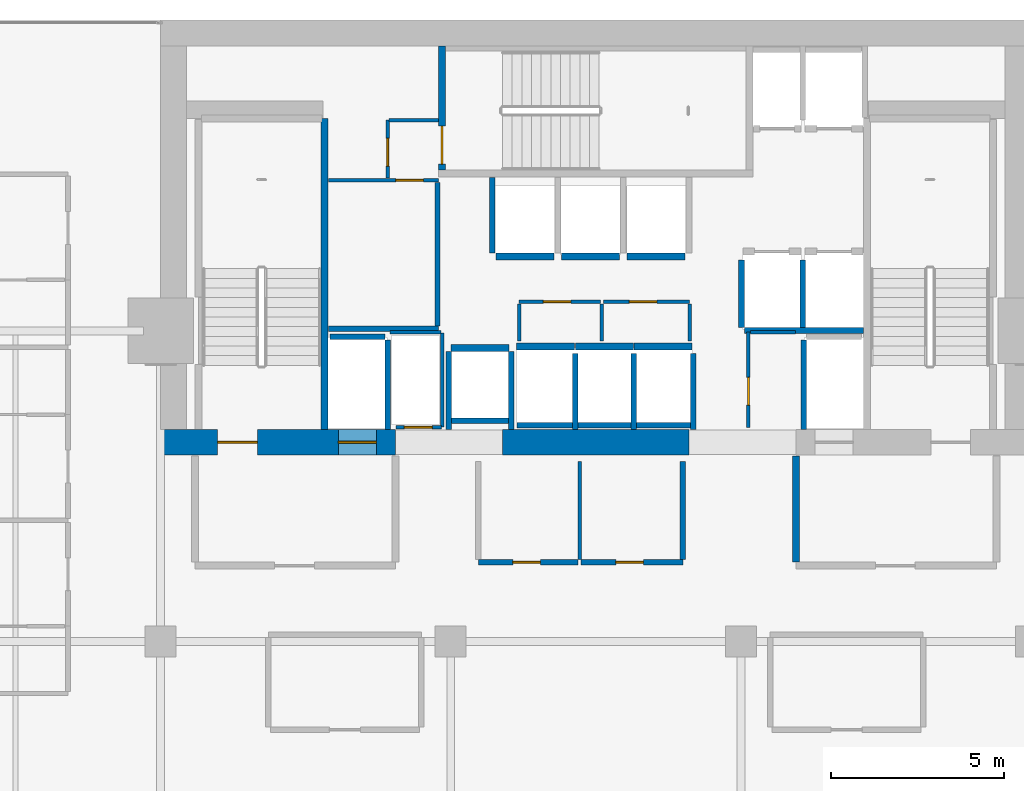
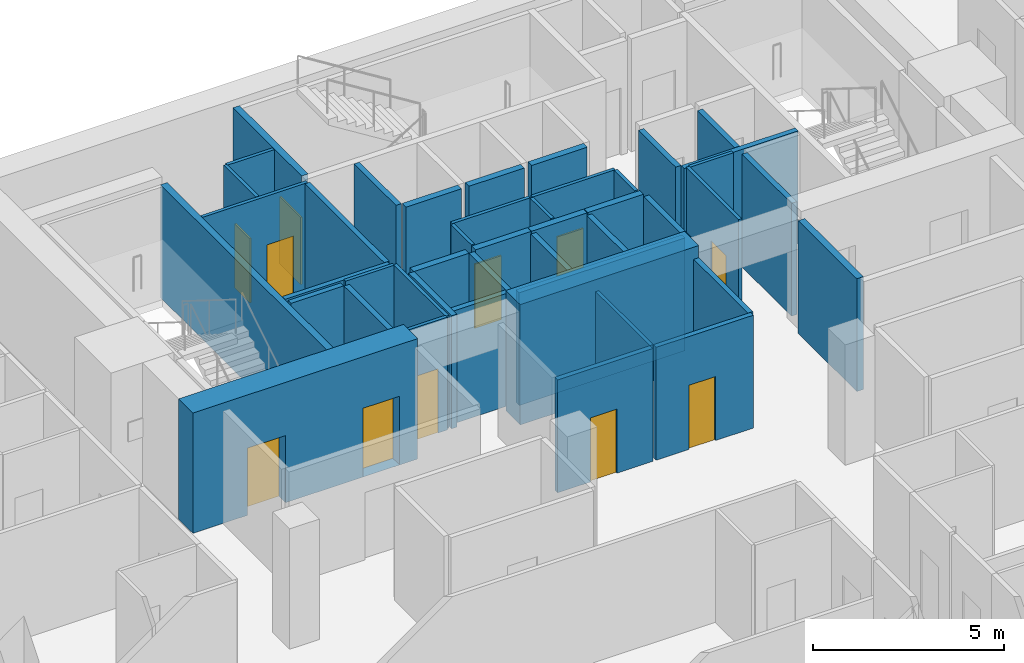
# One storey, part 30 of 34: 45 walls, 11 doors, 11 openings.
"""IFC4 building model written with IfcOpenShell, lengths in metres."""

import ifcopenshell
import ifcopenshell.guid

model = None  # the IFC model being written
_history = None  # IfcOwnerHistory: only IFC2X3 demands one
_inside = {}  # id of a spatial element -> (the spatial element, [elements in it])
_under = {}  # id of a project, library or spatial element -> (it, [spatial elements below it])
_declared = {}  # id of a project -> (the project, [libraries it declares])
_typed = {}  # id of a type object -> (the type object, [elements of that type])
_made_of = {}  # id of a material, layer set ... -> (it, [elements and type objects made of it])


def new_model(schema):
    """Start an empty IFC model of exactly this schema.

    Asked for "IFC4X3", IfcOpenShell would pick the latest addendum, in which some entities
    have other attributes; the version numbers below select the first issue.
    IFC2X3 requires an IfcOwnerHistory on every rooted entity: one is made here for all.
    """
    global model, _history
    if schema == "IFC4X3":
        model = ifcopenshell.file(schema_version=(4, 3, 0, 0))
    else:
        model = ifcopenshell.file(schema=schema)
    _inside.clear()
    _under.clear()
    _declared.clear()
    _typed.clear()
    _made_of.clear()
    _history = None
    if model.schema == "IFC2X3":
        org = make("IfcOrganization", Name="unknown")
        user = make(
            "IfcPersonAndOrganization",
            ThePerson=make("IfcPerson", FamilyName="unknown"),
            TheOrganization=org,
        )
        app = make(
            "IfcApplication",
            ApplicationDeveloper=org,
            Version="unknown",
            ApplicationFullName="unknown",
            ApplicationIdentifier="unknown",
        )
        _history = make(
            "IfcOwnerHistory",
            OwningUser=user,
            OwningApplication=app,
            ChangeAction="ADDED",
            CreationDate=0,
        )
    return model


def make(cls, **values):
    """One entity of the class cls with the attributes given. An attribute that is None is left unset."""
    return model.create_entity(
        cls, **{name: value for name, value in values.items() if value is not None}
    )


def rooted(cls, **values):
    """An entity with a GlobalId (a new one), such as an element, a storey or a relation."""
    return make(cls, GlobalId=ifcopenshell.guid.new(), OwnerHistory=_history, **values)


def si_unit(unit_type, name, prefix=None):
    """IfcSIUnit, for example si_unit("LENGTHUNIT", "METRE", prefix="MILLI")."""
    return make("IfcSIUnit", UnitType=unit_type, Prefix=prefix, Name=name)


def assignment(units):
    """IfcUnitAssignment: the units of a project."""
    return None if units is None else make("IfcUnitAssignment", Units=units)


def point(xyz):
    """IfcCartesianPoint."""
    return None if xyz is None else make("IfcCartesianPoint", Coordinates=xyz)


def direction(xyz):
    """IfcDirection."""
    return None if xyz is None else make("IfcDirection", DirectionRatios=xyz)


def frame(location, z_axis=None, x_axis=None):
    """IfcAxis2Placement3D, a coordinate frame: its origin and axes. An axis left out is left unset."""
    return make(
        "IfcAxis2Placement3D",
        Location=point(location),
        Axis=direction(z_axis),
        RefDirection=direction(x_axis),
    )


def frame_2d(location, x_axis=None):
    """IfcAxis2Placement2D, a coordinate frame in the plane: its origin and x axis."""
    return make(
        "IfcAxis2Placement2D", Location=point(location), RefDirection=direction(x_axis)
    )


def origin():
    """The frame at (0, 0, 0) with its axes left unset."""
    return frame((0.0, 0.0, 0.0))


def place(relative_to, where):
    """IfcLocalPlacement: puts the frame where relative to a parent placement (None: the world)."""
    return make(
        "IfcLocalPlacement", PlacementRelTo=relative_to, RelativePlacement=where
    )


def context(
    kind, dimensions, precision=None, world=None, true_north=None, identifier=None
):
    """IfcGeometricRepresentationContext, for example the 3D "Model" context."""
    return make(
        "IfcGeometricRepresentationContext",
        ContextIdentifier=identifier,
        ContextType=kind,
        CoordinateSpaceDimension=dimensions,
        Precision=precision,
        WorldCoordinateSystem=world,
        TrueNorth=true_north,
    )


def subcontext(parent, identifier, kind, view, scale=None):
    """IfcGeometricRepresentationSubContext, for example "Body" below "Model"."""
    return make(
        "IfcGeometricRepresentationSubContext",
        ContextIdentifier=identifier,
        ContextType=kind,
        ParentContext=parent,
        TargetScale=scale,
        TargetView=view,
    )


def project(units=None, contexts=None):
    """IfcProject with its units and contexts."""
    return rooted(
        "IfcProject",
        Name="project",
        RepresentationContexts=contexts,
        UnitsInContext=assignment(units),
    )


def spatial(cls, under=None, at=None, **own):
    """A site, building, storey or space (cls), placed at a placement, below another one or the project."""
    s = rooted(cls, ObjectPlacement=at, **own)
    if under is not None:
        _under.setdefault(under.id(), (under, []))[1].append(s)
    return s


def profile(cls, at=None, kind="AREA", **sizes):
    """A parametric profile (cls). Its sizes go by their IFC names, for example OverallWidth=200.0."""
    return make(cls, ProfileType=kind, Position=at, **sizes)


def rectangle(**sizes):
    """IfcRectangleProfileDef."""
    return profile("IfcRectangleProfileDef", **sizes)


def extrude(swept, where, along, depth):
    """IfcExtrudedAreaSolid: the profile swept, set in the frame where, extruded along a direction by depth."""
    return make(
        "IfcExtrudedAreaSolid",
        SweptArea=swept,
        Position=where,
        ExtrudedDirection=direction(along),
        Depth=depth,
    )


def shape(context_of_items, identifier, shape_type, items):
    """IfcShapeRepresentation: the items that make up one representation, for example the "Body"."""
    return make(
        "IfcShapeRepresentation",
        ContextOfItems=context_of_items,
        RepresentationIdentifier=identifier,
        RepresentationType=shape_type,
        Items=items,
    )


def material(Name=None, Category=None):
    """IfcMaterial."""
    return make("IfcMaterial", Name=Name, Category=Category)


def layer(
    of_material, thickness, ventilated=None, Name=None, Category=None, Priority=None
):
    """IfcMaterialLayer: one layer of a wall or slab, of a material (None: an air gap)."""
    return make(
        "IfcMaterialLayer",
        Material=of_material,
        LayerThickness=thickness,
        IsVentilated=ventilated,
        Name=Name,
        Category=Category,
        Priority=Priority,
    )


def layer_set(layers, Name=None):
    """IfcMaterialLayerSet."""
    return make("IfcMaterialLayerSet", MaterialLayers=layers, LayerSetName=Name)


def made_of(thing, what):
    """Note that an element or type object is made of a material, layer set ...; save() writes the relation."""
    if what is not None:
        _made_of.setdefault(what.id(), (what, []))[1].append(thing)
    return thing


def type_object(cls, material=None, **own):
    """A type object (cls), such as IfcWallType, which elements share."""
    return made_of(rooted(cls, **own), material)


def element(
    cls,
    number,
    at=None,
    inside=None,
    cuts=None,
    type_object=None,
    material=None,
    context=None,
    identifier="Body",
    shape_type=None,
    held_by="IfcProductDefinitionShape",
    body=None,
    shapes=None,
    **own,
):
    """One element of the class cls, such as IfcWall. Its Tag is "e" and its number.

    at: its placement. inside: the storey or other place that contains it. cuts: it is an
    opening in that element (IfcRelVoidsElement). A single representation is given by context,
    identifier, shape_type and body (its items); several are given by shapes. held_by: the class
    of the entity that holds the representations. save() writes the other relations.
    """
    e = rooted(cls, Tag="e%d" % number, ObjectPlacement=at, **own)
    if body is not None:
        shapes = [shape(context, identifier, shape_type, body)]
    if shapes is not None:
        e.Representation = make(held_by, Representations=shapes)
    if inside is not None:
        _inside.setdefault(inside.id(), (inside, []))[1].append(e)
    if cuts is not None:
        rooted(
            "IfcRelVoidsElement", RelatingBuildingElement=cuts, RelatedOpeningElement=e
        )
    if type_object is not None:
        _typed.setdefault(type_object.id(), (type_object, []))[1].append(e)
    return made_of(e, material)


def fill(opening, filler):
    """IfcRelFillsElement: the door or window that sits in an opening."""
    return rooted(
        "IfcRelFillsElement",
        RelatingOpeningElement=opening,
        RelatedBuildingElement=filler,
    )


def aggregate(whole, parts):
    """IfcRelAggregates: a whole, such as a stair, and the parts it consists of."""
    return rooted("IfcRelAggregates", RelatingObject=whole, RelatedObjects=parts)


def save(model, path):
    """Write the relations noted so far, then the file.

    IfcRelAggregates (storeys below a building ...), IfcRelContainedInSpatialStructure (elements
    in a storey), IfcRelDefinesByType, IfcRelAssociatesMaterial and IfcRelDeclares: one each for
    every whole, place, type object, material and project.
    """
    for whole, parts in _under.values():
        aggregate(whole, parts)
    for where, things in _inside.values():
        rooted(
            "IfcRelContainedInSpatialStructure",
            RelatedElements=things,
            RelatingStructure=where,
        )
    for kind, things in _typed.values():
        rooted("IfcRelDefinesByType", RelatedObjects=things, RelatingType=kind)
    for what, things in _made_of.values():
        rooted("IfcRelAssociatesMaterial", RelatedObjects=things, RelatingMaterial=what)
    for by, libraries in _declared.values():
        rooted("IfcRelDeclares", RelatingContext=by, RelatedDefinitions=libraries)
    model.write(path)


model = new_model("IFC4")

# Units and contexts
model_context = context("Model", 3, precision=1e-05, world=origin(), true_north=direction((0.0, 1.0)))
body_context = subcontext(model_context, "Body", "Model", "MODEL_VIEW")
ifc_project = project(units=[si_unit("LENGTHUNIT", "METRE"), si_unit("AREAUNIT", "SQUARE_METRE"), si_unit("VOLUMEUNIT", "CUBIC_METRE"), si_unit("PLANEANGLEUNIT", "RADIAN"), si_unit("MASSUNIT", "GRAM", prefix="KILO")], contexts=[model_context])

# Site, building, storey
site_placement = place(None, origin())
site = spatial("IfcSite", under=ifc_project, at=site_placement, CompositionType="ELEMENT")
building_placement = place(site_placement, origin())
building = spatial("IfcBuilding", under=site, at=building_placement, Name="Maruvema Waterfront Hotel and Observation Tower", CompositionType="ELEMENT")
storey_placement = place(building_placement, frame((0.0, 0.0, 181.300048828125)))
storey = spatial("IfcBuildingStorey", under=building, at=storey_placement, Name="L44", CompositionType="ELEMENT", Elevation=181.300048828125)

# Walls
ifc_material_1 = material(Name="Twin-stud acoustic gypsum drywall", Category="gypsum")
ifc_layer_1 = layer(ifc_material_1, 0.14990234375, Name="Acoustic Corridor and Suite Demising Wall 150 mm")
ifc_layer_set_1 = layer_set([ifc_layer_1], Name="Twin-stud acoustic gypsum drywall")
wall_type_1 = type_object("IfcWallType", Name="Acoustic Corridor and Suite Demising Wall 150 mm", PredefinedType="PARTITIONING", material=ifc_layer_set_1)
wall_1_placement = place(storey_placement, frame((30.06005859375, 45.06005859375, 0.0), z_axis=(0.0, 0.0, 1.0), x_axis=(1.0, 0.0, 0.0)))
element("IfcWall", 1, at=wall_1_placement, inside=storey, type_object=wall_type_1, Name="L44 Freed B1 South Wall 017", PredefinedType="PARTITIONING", context=body_context, shape_type="SweptSolid", body=[
    extrude(rectangle(XDim=3.179931640625, YDim=0.14990234375, at=frame_2d((1.58984375, 0.0))), origin(), (0.0, 0.0, 1.0), 3.60986328125),
])
wall_2_placement = place(storey_placement, frame((33.219970703125, 45.139892578125, 0.0), z_axis=(0.0, 0.0, 1.0), x_axis=(0.0, 1.0, 0.0)))
element("IfcWall", 2, at=wall_2_placement, inside=storey, type_object=wall_type_1, Name="L44 Freed B1 East Wall 018", PredefinedType="PARTITIONING", context=body_context, shape_type="SweptSolid", body=[
    extrude(rectangle(XDim=4.16015625, YDim=0.14990234375, at=frame_2d((2.080078125, 0.0))), origin(), (0.0, 0.0, 1.0), 3.60986328125),
])

# Wall, opening, door
wall_3_placement = place(storey_placement, frame((34.39990234375, 38.300048828125, 0.0), z_axis=(0.0, 0.0, 1.0), x_axis=(1.0, 0.0, 0.0)))
wall_3 = element("IfcWall", 3, at=wall_3_placement, inside=storey, type_object=wall_type_1, Name="L44 Core Apron K2A South 022", PredefinedType="PARTITIONING", context=body_context, shape_type="SweptSolid", body=[
    extrude(rectangle(XDim=2.880126953125, YDim=0.14990234375, at=frame_2d((1.43994140625, 0.0))), origin(), (0.0, 0.0, 1.0), 3.60986328125),
])
opening_1_placement = place(wall_3_placement, frame((1.0, 0.0, 0.0)))
opening_1 = element("IfcOpeningElement", 4, at=opening_1_placement, cuts=wall_3, Name="Opening DR-080", PredefinedType="OPENING", context=body_context, shape_type="SweptSolid", body=[
    extrude(rectangle(XDim=0.800048828125, YDim=2.050048828125, at=frame_2d((0.39990234375, 1.02490234375))), frame((0.0, 0.0849609375, 0.0), z_axis=(0.0, -1.0, 0.0), x_axis=(1.0, 0.0, 0.0)), (0.0, 0.0, 1.0), 0.169921875),
])
ifc_material_2 = material(Name="Powder-coated steel access leaf", Category="steel")
door_type_1 = type_object("IfcDoorType", Name="Riser and Service Cupboard Door 800x2050 mm", OperationType="NOTDEFINED", PredefinedType="DOOR", material=ifc_material_2)
door_1_placement = place(opening_1_placement, frame((0.800048828125, 0.0, 0.0), z_axis=(0.0, 0.0, 1.0), x_axis=(-1.0, 0.0, 0.0)))
door_1 = element("IfcDoor", 5, at=door_1_placement, inside=storey, type_object=door_type_1, Name="L44 Core Ice Alcove Door", OperationType="SINGLE_SWING_RIGHT", OverallHeight=2.050048828125, OverallWidth=0.800048828125, PredefinedType="DOOR", context=body_context, shape_type="SweptSolid", body=[
    extrude(rectangle(XDim=0.800048828125, YDim=2.050048828125, at=frame_2d((0.39990234375, 1.02490234375))), frame((0.0, 0.02490234375, 0.0), z_axis=(0.0, -1.0, 0.0), x_axis=(1.0, 0.0, 0.0)), (0.0, 0.0, 1.0), 0.050048828125),
])
fill(opening_1, door_1)

wall_4_placement = place(storey_placement, frame((37.3798828125, 38.300048828125, 0.0), z_axis=(0.0, 0.0, 1.0), x_axis=(1.0, 0.0, 0.0)))
wall_4 = element("IfcWall", 6, at=wall_4_placement, inside=storey, type_object=wall_type_1, Name="L44 Core Apron K2B South 023", PredefinedType="PARTITIONING", context=body_context, shape_type="SweptSolid", body=[
    extrude(rectangle(XDim=2.940185546875, YDim=0.14990234375, at=frame_2d((1.47021484375, 0.0))), origin(), (0.0, 0.0, 1.0), 3.60986328125),
])
opening_2_placement = place(wall_4_placement, frame((1.0, 0.0, 0.0)))
opening_2 = element("IfcOpeningElement", 7, at=opening_2_placement, cuts=wall_4, Name="Opening DR-080", PredefinedType="OPENING", context=body_context, shape_type="SweptSolid", body=[
    extrude(rectangle(XDim=0.800048828125, YDim=2.050048828125, at=frame_2d((0.39990234375, 1.02490234375))), frame((0.0, 0.0849609375, 0.0), z_axis=(0.0, -1.0, 0.0), x_axis=(1.0, 0.0, 0.0)), (0.0, 0.0, 1.0), 0.169921875),
])
door_2_placement = place(opening_2_placement, frame((0.800048828125, 0.0, 0.0), z_axis=(0.0, 0.0, 1.0), x_axis=(-1.0, 0.0, 0.0)))
door_2 = element("IfcDoor", 8, at=door_2_placement, inside=storey, type_object=door_type_1, Name="L44 Core Valet Closet Door", OperationType="SINGLE_SWING_LEFT", OverallHeight=2.050048828125, OverallWidth=0.800048828125, PredefinedType="DOOR", context=body_context, shape_type="SweptSolid", body=[
    extrude(rectangle(XDim=0.800048828125, YDim=2.050048828125, at=frame_2d((0.39990234375, 1.02490234375))), frame((0.0, 0.02490234375, 0.0), z_axis=(0.0, -1.0, 0.0), x_axis=(1.0, 0.0, 0.0)), (0.0, 0.0, 1.0), 0.050048828125),
])
fill(opening_2, door_2)

# Walls
wall_5_placement = place(storey_placement, frame((40.320068359375, 38.3798828125, 0.0), z_axis=(0.0, 0.0, 1.0), x_axis=(0.0, 1.0, 0.0)))
element("IfcWall", 9, at=wall_5_placement, inside=storey, type_object=wall_type_1, Name="L44 Core Apron K2 East 026", PredefinedType="PARTITIONING", context=body_context, shape_type="SweptSolid", body=[
    extrude(rectangle(XDim=2.840087890625, YDim=0.14990234375, at=frame_2d((1.419921875, 0.0))), origin(), (0.0, 0.0, 1.0), 3.60986328125),
])
ifc_material_3 = material(Name="Precast concrete C45/55", Category="concrete")
ifc_layer_2 = layer(ifc_material_3, 0.199951171875, Name="Core Shaft and Stairwell Enclosure Wall 200 mm")
ifc_layer_set_2 = layer_set([ifc_layer_2], Name="Precast concrete C45/55")
wall_type_2 = type_object("IfcWallType", Name="Core Shaft and Stairwell Enclosure Wall 200 mm", PredefinedType="SOLIDWALL", material=ifc_layer_set_2)
wall_6_placement = place(storey_placement, frame((29.949951171875, 42.14990234375, 0.0), z_axis=(0.0, 0.0, 1.0), x_axis=(0.0, 1.0, 0.0)))
element("IfcWall", 10, at=wall_6_placement, inside=storey, type_object=wall_type_2, Name="L44 Stairwell ST-01 East Shaft Wall", PredefinedType="SOLIDWALL", context=body_context, shape_type="SweptSolid", body=[
    extrude(rectangle(XDim=9.0, YDim=0.199951171875, at=frame_2d((4.5, 0.0))), origin(), (0.0, 0.0, 1.0), 3.60986328125),
])

# Wall, opening, door
wall_7_placement = place(storey_placement, frame((33.35009765625, 49.64990234375, 0.0), z_axis=(0.0, 0.0, 1.0), x_axis=(0.0, 1.0, 0.0)))
wall_7 = element("IfcWall", 11, at=wall_7_placement, inside=storey, type_object=wall_type_2, Name="L44 Stairwell ST-02 Shaft Wall", PredefinedType="SOLIDWALL", context=body_context, shape_type="SweptSolid", body=[
    extrude(rectangle(XDim=3.60009765625, YDim=0.199951171875, at=frame_2d((1.800048828125, 0.0))), origin(), (0.0, 0.0, 1.0), 3.60986328125),
])
opening_3_placement = place(wall_7_placement, frame((0.179931640625, 0.0, 0.0)))
opening_3 = element("IfcOpeningElement", 12, at=opening_3_placement, cuts=wall_7, Name="Opening SD-02", PredefinedType="OPENING", context=body_context, shape_type="SweptSolid", body=[
    extrude(rectangle(XDim=1.10009765625, YDim=2.14990234375, at=frame_2d((0.550048828125, 1.074951171875))), frame((0.0, 0.10986328125, 0.0), z_axis=(0.0, -1.0, 0.0), x_axis=(1.0, 0.0, 0.0)), (0.0, 0.0, 1.0), 0.219970703125),
])
ifc_material_4 = material(Name="Fire-rated galvanised steel leaf", Category="steel")
door_type_2 = type_object("IfcDoorType", Name="Central Exit Stair Fire Door 1100x2150 mm", OperationType="NOTDEFINED", PredefinedType="DOOR", material=ifc_material_4)
door_3_placement = place(opening_3_placement, frame((1.10009765625, 0.0, 0.0), z_axis=(0.0, 0.0, 1.0), x_axis=(-1.0, 0.0, 0.0)))
door_3 = element("IfcDoor", 13, at=door_3_placement, inside=storey, type_object=door_type_2, Name="L44 Exit Stair ST-02 Fire Door", OperationType="SINGLE_SWING_LEFT", OverallHeight=2.14990234375, OverallWidth=1.10009765625, PredefinedType="DOOR", context=body_context, shape_type="SweptSolid", body=[
    extrude(rectangle(XDim=1.10009765625, YDim=2.14990234375, at=frame_2d((0.550048828125, 1.074951171875))), frame((0.0, 0.02490234375, 0.0), z_axis=(0.0, -1.0, 0.0), x_axis=(1.0, 0.0, 0.0)), (0.0, 0.0, 1.0), 0.050048828125),
])
fill(opening_3, door_3)

# Walls
for number, where, z_axis, x_axis, name in (
    (14, (35.510009765625, 44.550048828125, 0.0), (0.0, 0.0, 1.0), (1.0, 0.0, 0.0), "L44 Lift LF-09 Hoistway Front Wall"),
    (15, (37.2099609375, 44.550048828125, 0.0), (0.0, 0.0, 1.0), (1.0, 0.0, 0.0), "L44 Lift LF-10 Hoistway Front Wall"),
):
    element("IfcWall", number, at=place(storey_placement, frame(where, z_axis=z_axis, x_axis=x_axis)), inside=storey, type_object=wall_type_2, Name=name, PredefinedType="SOLIDWALL", context=body_context, shape_type="SweptSolid", body=[
        extrude(rectangle(XDim=1.679931640625, YDim=0.199951171875, at=frame_2d((0.83984375, 0.0))), origin(), (0.0, 0.0, 1.0), 3.60986328125),
    ])
for number, where, z_axis, x_axis, name in (
    (16, (38.909912109375, 44.550048828125, 0.0), (0.0, 0.0, 1.0), (1.0, 0.0, 0.0), "L44 Lift LF-11 Hoistway Front Wall"),
    (17, (34.909912109375, 47.14990234375, 0.0), (0.0, 0.0, 1.0), (1.0, 0.0, 0.0), "L44 Lift LF-12 Hoistway Front Wall"),
):
    element("IfcWall", number, at=place(storey_placement, frame(where, z_axis=z_axis, x_axis=x_axis)), inside=storey, type_object=wall_type_2, Name=name, PredefinedType="SOLIDWALL", context=body_context, shape_type="SweptSolid", body=[
        extrude(rectangle(XDim=1.68017578125, YDim=0.199951171875, at=frame_2d((0.840087890625, 0.0))), origin(), (0.0, 0.0, 1.0), 3.60986328125),
    ])
for number, where, z_axis, x_axis, name in (
    (18, (36.81005859375, 47.14990234375, 0.0), (0.0, 0.0, 1.0), (1.0, 0.0, 0.0), "L44 Lift LF-13 Hoistway Front Wall"),
    (19, (38.7099609375, 47.14990234375, 0.0), (0.0, 0.0, 1.0), (1.0, 0.0, 0.0), "L44 Lift LF-14 Hoistway Front Wall"),
    (20, (33.610107421875, 44.5, 0.0), (0.0, 0.0, 1.0), (1.0, 0.0, 0.0), "L44 Lift LF-15 Hoistway Front Wall"),
):
    element("IfcWall", number, at=place(storey_placement, frame(where, z_axis=z_axis, x_axis=x_axis)), inside=storey, type_object=wall_type_2, Name=name, PredefinedType="SOLIDWALL", context=body_context, shape_type="SweptSolid", body=[
        extrude(rectangle(XDim=1.679931640625, YDim=0.199951171875, at=frame_2d((0.83984375, 0.0))), origin(), (0.0, 0.0, 1.0), 3.60986328125),
    ])

# Wall, openings, doors
ifc_material_5 = material(Name="Concrete C70/85", Category="concrete")
ifc_layer_3 = layer(ifc_material_5, 0.75, Name="Core Shear Wall 750 mm")
ifc_layer_set_3 = layer_set([ifc_layer_3], Name="Concrete C70/85")
wall_type_3 = type_object("IfcWallType", Name="Core Shear Wall 750 mm", PredefinedType="SHEAR", material=ifc_layer_set_3)
wall_8_placement = place(storey_placement, frame((25.199951171875, 41.77490234375, 0.0), z_axis=(0.0, 0.0, 1.0), x_axis=(1.0, 0.0, 0.0)))
wall_8 = element("IfcWall", 21, at=wall_8_placement, inside=storey, type_object=wall_type_3, Name="L44 South-West Core Shear Wall", PredefinedType="SHEAR", context=body_context, shape_type="SweptSolid", body=[
    extrude(rectangle(XDim=6.800048828125, YDim=0.75, at=frame_2d((3.39990234375, 0.0))), origin(), (0.0, 0.0, 1.0), 3.849853515625),
])
opening_4_placement = place(wall_8_placement, frame((1.64990234375, 0.0, 0.0)))
opening_4 = element("IfcOpeningElement", 22, at=opening_4_placement, cuts=wall_8, Name="Opening SD-01", PredefinedType="OPENING", context=body_context, shape_type="SweptSolid", body=[
    extrude(rectangle(XDim=1.14990234375, YDim=2.14990234375, at=frame_2d((0.574951171875, 1.074951171875))), frame((0.0, 0.385009765625, 0.0), z_axis=(0.0, -1.0, 0.0), x_axis=(1.0, 0.0, 0.0)), (0.0, 0.0, 1.0), 0.77001953125),
])
opening_5_placement = place(wall_8_placement, frame((5.14990234375, 0.0, 0.0)))
opening_5 = element("IfcOpeningElement", 23, at=opening_5_placement, cuts=wall_8, Name="Opening LD-03", PredefinedType="OPENING", context=body_context, shape_type="SweptSolid", body=[
    extrude(rectangle(XDim=1.10009765625, YDim=2.199951171875, at=frame_2d((0.550048828125, 1.10009765625))), frame((0.0, 0.385009765625, 0.0), z_axis=(0.0, -1.0, 0.0), x_axis=(1.0, 0.0, 0.0)), (0.0, 0.0, 1.0), 0.77001953125),
])
ifc_material_6 = material(Name="Fire-rated galvanised steel leaf", Category="steel")
door_type_3 = type_object("IfcDoorType", Name="Exit Stair Fire Door 1150x2150 mm", OperationType="NOTDEFINED", PredefinedType="DOOR", material=ifc_material_6)
door_4_placement = place(opening_4_placement, origin())
door_4 = element("IfcDoor", 24, at=door_4_placement, inside=storey, type_object=door_type_3, Name="L44 Exit Stair ST-01 Fire Door", OperationType="SINGLE_SWING_LEFT", OverallHeight=2.14990234375, OverallWidth=1.14990234375, PredefinedType="DOOR", context=body_context, shape_type="SweptSolid", body=[
    extrude(rectangle(XDim=1.14990234375, YDim=2.14990234375, at=frame_2d((0.574951171875, 1.074951171875))), frame((0.0, 0.02490234375, 0.0), z_axis=(0.0, -1.0, 0.0), x_axis=(1.0, 0.0, 0.0)), (0.0, 0.0, 1.0), 0.050048828125),
])
fill(opening_4, door_4)
ifc_material_7 = material(Name="Brushed stainless steel Grade 316", Category="steel")
door_type_4 = type_object("IfcDoorType", Name="Firefighting Lift Sliding Landing Door 1100x2200 mm", OperationType="SLIDING_TO_LEFT", PredefinedType="DOOR", material=ifc_material_7)
door_5_placement = place(opening_5_placement, frame((1.10009765625, 0.0, 0.0), z_axis=(0.0, 0.0, 1.0), x_axis=(-1.0, 0.0, 0.0)))
door_5 = element("IfcDoor", 25, at=door_5_placement, inside=storey, type_object=door_type_4, Name="L44 Firefighting Lift FL-01 Landing Door", OperationType="SLIDING_TO_LEFT", OverallHeight=2.199951171875, OverallWidth=1.10009765625, PredefinedType="DOOR", context=body_context, shape_type="SweptSolid", body=[
    extrude(rectangle(XDim=1.10009765625, YDim=2.199951171875, at=frame_2d((0.550048828125, 1.10009765625))), frame((0.0, 0.02490234375, 0.0), z_axis=(0.0, -1.0, 0.0), x_axis=(1.0, 0.0, 0.0)), (0.0, 0.0, 1.0), 0.050048828125),
])
fill(opening_5, door_5)

# Wall
wall_9_placement = place(storey_placement, frame((35.10009765625, 41.77490234375, 0.0), z_axis=(0.0, 0.0, 1.0), x_axis=(1.0, 0.0, 0.0)))
element("IfcWall", 26, at=wall_9_placement, inside=storey, type_object=wall_type_3, Name="L44 South-Central Core Shear Wall", PredefinedType="SHEAR", context=body_context, shape_type="SweptSolid", body=[
    extrude(rectangle(XDim=5.39990234375, YDim=0.75, at=frame_2d((2.699951171875, 0.0))), origin(), (0.0, 0.0, 1.0), 3.849853515625),
])

# Wall, opening, door
ifc_material_8 = material(Name="Moisture-resistant cement-board drywall", Category="gypsum")
ifc_layer_4 = layer(ifc_material_8, 0.10009765625, Name="En-Suite Moisture-Resistant Partition 100 mm")
ifc_layer_set_4 = layer_set([ifc_layer_4], Name="Moisture-resistant cement-board drywall")
wall_type_4 = type_object("IfcWallType", Name="En-Suite Moisture-Resistant Partition 100 mm", PredefinedType="PARTITIONING", material=ifc_layer_set_4)
wall_10_placement = place(storey_placement, frame((32.02001953125, 42.2099609375, 0.0), z_axis=(0.0, 0.0, 1.0), x_axis=(1.0, 0.0, 0.0)))
wall_10 = element("IfcWall", 27, at=wall_10_placement, inside=storey, type_object=wall_type_4, Name="L44 Telecom Riser South Wall 007", PredefinedType="PARTITIONING", context=body_context, shape_type="SweptSolid", body=[
    extrude(rectangle(XDim=1.320068359375, YDim=0.10009765625, at=frame_2d((0.66015625, 0.0))), origin(), (0.0, 0.0, 1.0), 3.60986328125),
])
opening_6_placement = place(wall_10_placement, frame((0.239990234375, 0.0, 0.0)))
opening_6 = element("IfcOpeningElement", 28, at=opening_6_placement, cuts=wall_10, Name="Opening DR-080", PredefinedType="OPENING", context=body_context, shape_type="SweptSolid", body=[
    extrude(rectangle(XDim=0.800048828125, YDim=2.050048828125, at=frame_2d((0.39990234375, 1.02490234375))), frame((0.0, 0.06005859375, 0.0), z_axis=(0.0, -1.0, 0.0), x_axis=(1.0, 0.0, 0.0)), (0.0, 0.0, 1.0), 0.1201171875),
])
door_6_placement = place(opening_6_placement, frame((0.800048828125, 0.0, 0.0), z_axis=(0.0, 0.0, 1.0), x_axis=(-1.0, 0.0, 0.0)))
door_6 = element("IfcDoor", 29, at=door_6_placement, inside=storey, type_object=door_type_1, Name="L44 Telecom Riser Door", OperationType="SINGLE_SWING_RIGHT", OverallHeight=2.050048828125, OverallWidth=0.800048828125, PredefinedType="DOOR", context=body_context, shape_type="SweptSolid", body=[
    extrude(rectangle(XDim=0.800048828125, YDim=2.050048828125, at=frame_2d((0.39990234375, 1.02490234375))), frame((0.0, 0.02490234375, 0.0), z_axis=(0.0, -1.0, 0.0), x_axis=(1.0, 0.0, 0.0)), (0.0, 0.0, 1.0), 0.050048828125),
])
fill(opening_6, door_6)

# Walls
wall_11_placement = place(storey_placement, frame((31.840087890625, 44.9599609375, 0.0), z_axis=(0.0, 0.0, 1.0), x_axis=(1.0, 0.0, 0.0)))
element("IfcWall", 30, at=wall_11_placement, inside=storey, type_object=wall_type_4, Name="L44 Telecom Riser North Wall 008", PredefinedType="PARTITIONING", context=body_context, shape_type="SweptSolid", body=[
    extrude(rectangle(XDim=1.47998046875, YDim=0.10009765625, at=frame_2d((0.739990234375, 0.0))), origin(), (0.0, 0.0, 1.0), 3.60986328125),
])
wall_12_placement = place(storey_placement, frame((33.360107421875, 42.2099609375, 0.0), z_axis=(0.0, 0.0, 1.0), x_axis=(0.0, 1.0, 0.0)))
element("IfcWall", 31, at=wall_12_placement, inside=storey, type_object=wall_type_4, Name="L44 Telecom Riser East Wall 009", PredefinedType="PARTITIONING", context=body_context, shape_type="SweptSolid", body=[
    extrude(rectangle(XDim=2.72998046875, YDim=0.10009765625, at=frame_2d((1.364990234375, 0.0))), origin(), (0.0, 0.0, 1.0), 3.60986328125),
])

# Wall, opening, door
wall_13_placement = place(storey_placement, frame((35.580078125, 45.840087890625, 0.0), z_axis=(0.0, 0.0, 1.0), x_axis=(1.0, 0.0, 0.0)))
wall_13 = element("IfcWall", 32, at=wall_13_placement, inside=storey, type_object=wall_type_4, Name="L44 Core Closet K2A North 010", PredefinedType="PARTITIONING", context=body_context, shape_type="SweptSolid", body=[
    extrude(rectangle(XDim=2.35986328125, YDim=0.10009765625, at=frame_2d((1.179931640625, 0.0))), origin(), (0.0, 0.0, 1.0), 3.60986328125),
])
opening_7_placement = place(wall_13_placement, frame((0.699951171875, 0.0, 0.0)))
opening_7 = element("IfcOpeningElement", 33, at=opening_7_placement, cuts=wall_13, Name="Opening DR-080", PredefinedType="OPENING", context=body_context, shape_type="SweptSolid", body=[
    extrude(rectangle(XDim=0.800048828125, YDim=2.050048828125, at=frame_2d((0.39990234375, 1.02490234375))), frame((0.0, 0.06005859375, 0.0), z_axis=(0.0, -1.0, 0.0), x_axis=(1.0, 0.0, 0.0)), (0.0, 0.0, 1.0), 0.1201171875),
])
door_7_placement = place(opening_7_placement, origin())
door_7 = element("IfcDoor", 34, at=door_7_placement, inside=storey, type_object=door_type_1, Name="L44 Core IT Closet Door", OperationType="SINGLE_SWING_LEFT", OverallHeight=2.050048828125, OverallWidth=0.800048828125, PredefinedType="DOOR", context=body_context, shape_type="SweptSolid", body=[
    extrude(rectangle(XDim=0.800048828125, YDim=2.050048828125, at=frame_2d((0.39990234375, 1.02490234375))), frame((0.0, 0.02490234375, 0.0), z_axis=(0.0, -1.0, 0.0), x_axis=(1.0, 0.0, 0.0)), (0.0, 0.0, 1.0), 0.050048828125),
])
fill(opening_7, door_7)

wall_14_placement = place(storey_placement, frame((38.02001953125, 45.840087890625, 0.0), z_axis=(0.0, 0.0, 1.0), x_axis=(1.0, 0.0, 0.0)))
wall_14 = element("IfcWall", 35, at=wall_14_placement, inside=storey, type_object=wall_type_4, Name="L44 Core Closet K2B North 011", PredefinedType="PARTITIONING", context=body_context, shape_type="SweptSolid", body=[
    extrude(rectangle(XDim=2.5, YDim=0.10009765625, at=frame_2d((1.25, 0.0))), origin(), (0.0, 0.0, 1.0), 3.60986328125),
])
opening_8_placement = place(wall_14_placement, frame((0.75, 0.0, 0.0)))
opening_8 = element("IfcOpeningElement", 36, at=opening_8_placement, cuts=wall_14, Name="Opening DR-080", PredefinedType="OPENING", context=body_context, shape_type="SweptSolid", body=[
    extrude(rectangle(XDim=0.800048828125, YDim=2.050048828125, at=frame_2d((0.39990234375, 1.02490234375))), frame((0.0, 0.06005859375, 0.0), z_axis=(0.0, -1.0, 0.0), x_axis=(1.0, 0.0, 0.0)), (0.0, 0.0, 1.0), 0.1201171875),
])
door_8_placement = place(opening_8_placement, origin())
door_8 = element("IfcDoor", 37, at=door_8_placement, inside=storey, type_object=door_type_1, Name="L44 Core Linen Cupboard Door", OperationType="SINGLE_SWING_RIGHT", OverallHeight=2.050048828125, OverallWidth=0.800048828125, PredefinedType="DOOR", context=body_context, shape_type="SweptSolid", body=[
    extrude(rectangle(XDim=0.800048828125, YDim=2.050048828125, at=frame_2d((0.39990234375, 1.02490234375))), frame((0.0, 0.02490234375, 0.0), z_axis=(0.0, -1.0, 0.0), x_axis=(1.0, 0.0, 0.0)), (0.0, 0.0, 1.0), 0.050048828125),
])
fill(opening_8, door_8)

# Walls
for number, where, z_axis, x_axis, name in (
    (38, (35.580078125, 44.699951171875, 0.0), (0.0, 0.0, 1.0), (0.0, 1.0, 0.0), "L44 Core Closet K2 West 012"),
    (39, (37.97998046875, 44.699951171875, 0.0), (0.0, 0.0, 1.0), (0.0, 1.0, 0.0), "L44 Core Closet K2 Mid 013"),
    (40, (40.52001953125, 44.699951171875, 0.0), (0.0, 0.0, 1.0), (0.0, 1.0, 0.0), "L44 Core Closet K2 East 014"),
):
    element("IfcWall", number, at=place(storey_placement, frame(where, z_axis=z_axis, x_axis=x_axis)), inside=storey, type_object=wall_type_4, Name=name, PredefinedType="PARTITIONING", context=body_context, shape_type="SweptSolid", body=[
        extrude(rectangle(XDim=1.080078125, YDim=0.10009765625, at=frame_2d((0.5400390625, 0.0))), origin(), (0.0, 0.0, 1.0), 3.60986328125),
    ])

# Wall, opening, door
wall_15_placement = place(storey_placement, frame((42.219970703125, 42.199951171875, 0.0), z_axis=(0.0, 0.0, 1.0), x_axis=(0.0, 1.0, 0.0)))
wall_15 = element("IfcWall", 41, at=wall_15_placement, inside=storey, type_object=wall_type_4, Name="L44 Core Closet K2C West 015", PredefinedType="PARTITIONING", context=body_context, shape_type="SweptSolid", body=[
    extrude(rectangle(XDim=2.760009765625, YDim=0.10009765625, at=frame_2d((1.3798828125, 0.0))), origin(), (0.0, 0.0, 1.0), 3.60986328125),
])
opening_9_placement = place(wall_15_placement, frame((0.64990234375, 0.0, 0.0)))
opening_9 = element("IfcOpeningElement", 42, at=opening_9_placement, cuts=wall_15, Name="Opening DR-080", PredefinedType="OPENING", context=body_context, shape_type="SweptSolid", body=[
    extrude(rectangle(XDim=0.800048828125, YDim=2.050048828125, at=frame_2d((0.39990234375, 1.02490234375))), frame((0.0, 0.06005859375, 0.0), z_axis=(0.0, -1.0, 0.0), x_axis=(1.0, 0.0, 0.0)), (0.0, 0.0, 1.0), 0.1201171875),
])
door_9_placement = place(opening_9_placement, frame((0.800048828125, 0.0, 0.0), z_axis=(0.0, 0.0, 1.0), x_axis=(-1.0, 0.0, 0.0)))
door_9 = element("IfcDoor", 43, at=door_9_placement, inside=storey, type_object=door_type_1, Name="L44 Core Housekeeping Closet Door", OperationType="SINGLE_SWING_LEFT", OverallHeight=2.050048828125, OverallWidth=0.800048828125, PredefinedType="DOOR", context=body_context, shape_type="SweptSolid", body=[
    extrude(rectangle(XDim=0.800048828125, YDim=2.050048828125, at=frame_2d((0.39990234375, 1.02490234375))), frame((0.0, 0.02490234375, 0.0), z_axis=(0.0, -1.0, 0.0), x_axis=(1.0, 0.0, 0.0)), (0.0, 0.0, 1.0), 0.050048828125),
])
fill(opening_9, door_9)

# Wall
wall_16_placement = place(storey_placement, frame((42.280029296875, 44.9599609375, 0.0), z_axis=(0.0, 0.0, 1.0), x_axis=(1.0, 0.0, 0.0)))
element("IfcWall", 44, at=wall_16_placement, inside=storey, type_object=wall_type_4, Name="L44 Core Closet K2C North 016", PredefinedType="PARTITIONING", context=body_context, shape_type="SweptSolid", body=[
    extrude(rectangle(XDim=1.300048828125, YDim=0.10009765625, at=frame_2d((0.64990234375, 0.0))), origin(), (0.0, 0.0, 1.0), 3.60986328125),
])

# Wall, opening, door
wall_17_placement = place(storey_placement, frame((30.06005859375, 49.360107421875, 0.0), z_axis=(0.0, 0.0, 1.0), x_axis=(1.0, 0.0, 0.0)))
wall_17 = element("IfcWall", 45, at=wall_17_placement, inside=storey, type_object=wall_type_4, Name="L44 Freed B1 Mid Wall 019", PredefinedType="PARTITIONING", context=body_context, shape_type="SweptSolid", body=[
    extrude(rectangle(XDim=3.179931640625, YDim=0.10009765625, at=frame_2d((1.58984375, 0.0))), origin(), (0.0, 0.0, 1.0), 3.60986328125),
])
opening_10_placement = place(wall_17_placement, frame((1.949951171875, 0.0, 0.0)))
opening_10 = element("IfcOpeningElement", 46, at=opening_10_placement, cuts=wall_17, Name="Opening DR-080", PredefinedType="OPENING", context=body_context, shape_type="SweptSolid", body=[
    extrude(rectangle(XDim=0.800048828125, YDim=2.050048828125, at=frame_2d((0.39990234375, 1.02490234375))), frame((0.0, 0.06005859375, 0.0), z_axis=(0.0, -1.0, 0.0), x_axis=(1.0, 0.0, 0.0)), (0.0, 0.0, 1.0), 0.1201171875),
])
door_10_placement = place(opening_10_placement, origin())
door_10 = element("IfcDoor", 47, at=door_10_placement, inside=storey, type_object=door_type_1, Name="L44 Housekeeping and Linen Room Door", OperationType="SINGLE_SWING_RIGHT", OverallHeight=2.050048828125, OverallWidth=0.800048828125, PredefinedType="DOOR", context=body_context, shape_type="SweptSolid", body=[
    extrude(rectangle(XDim=0.800048828125, YDim=2.050048828125, at=frame_2d((0.39990234375, 1.02490234375))), frame((0.0, 0.02490234375, 0.0), z_axis=(0.0, -1.0, 0.0), x_axis=(1.0, 0.0, 0.0)), (0.0, 0.0, 1.0), 0.050048828125),
])
fill(opening_10, door_10)

wall_18_placement = place(storey_placement, frame((31.780029296875, 49.419921875, 0.0), z_axis=(0.0, 0.0, 1.0), x_axis=(0.0, 1.0, 0.0)))
wall_18 = element("IfcWall", 48, at=wall_18_placement, inside=storey, type_object=wall_type_4, Name="L44 Freed B1 NW East Wall 020", PredefinedType="PARTITIONING", context=body_context, shape_type="SweptSolid", body=[
    extrude(rectangle(XDim=1.68017578125, YDim=0.10009765625, at=frame_2d((0.840087890625, 0.0))), origin(), (0.0, 0.0, 1.0), 3.60986328125),
])
opening_11_placement = place(wall_18_placement, frame((0.35009765625, 0.0, 0.0)))
opening_11 = element("IfcOpeningElement", 49, at=opening_11_placement, cuts=wall_18, Name="Opening DR-080", PredefinedType="OPENING", context=body_context, shape_type="SweptSolid", body=[
    extrude(rectangle(XDim=0.800048828125, YDim=2.050048828125, at=frame_2d((0.39990234375, 1.02490234375))), frame((0.0, 0.06005859375, 0.0), z_axis=(0.0, -1.0, 0.0), x_axis=(1.0, 0.0, 0.0)), (0.0, 0.0, 1.0), 0.1201171875),
])
door_11_placement = place(opening_11_placement, origin())
door_11 = element("IfcDoor", 50, at=door_11_placement, inside=storey, type_object=door_type_1, Name="L44 Guest Floor Pantry Door", OperationType="SINGLE_SWING_LEFT", OverallHeight=2.050048828125, OverallWidth=0.800048828125, PredefinedType="DOOR", context=body_context, shape_type="SweptSolid", body=[
    extrude(rectangle(XDim=0.800048828125, YDim=2.050048828125, at=frame_2d((0.39990234375, 1.02490234375))), frame((0.0, 0.02490234375, 0.0), z_axis=(0.0, -1.0, 0.0), x_axis=(1.0, 0.0, 0.0)), (0.0, 0.0, 1.0), 0.050048828125),
])
fill(opening_11, door_11)

# Walls
wall_19_placement = place(storey_placement, frame((31.820068359375, 51.10009765625, 0.0), z_axis=(0.0, 0.0, 1.0), x_axis=(1.0, 0.0, 0.0)))
element("IfcWall", 51, at=wall_19_placement, inside=storey, type_object=wall_type_4, Name="L44 Freed B1 Vestibule North Wall 021", PredefinedType="PARTITIONING", context=body_context, shape_type="SweptSolid", body=[
    extrude(rectangle(XDim=1.419921875, YDim=0.10009765625, at=frame_2d((0.7099609375, 0.0))), origin(), (0.0, 0.0, 1.0), 3.60986328125),
])
wall_20_placement = place(storey_placement, frame((37.330078125, 38.3798828125, 0.0), z_axis=(0.0, 0.0, 1.0), x_axis=(0.0, 1.0, 0.0)))
element("IfcWall", 52, at=wall_20_placement, inside=storey, type_object=wall_type_4, Name="L44 Core Apron K2 Split 025", PredefinedType="PARTITIONING", context=body_context, shape_type="SweptSolid", body=[
    extrude(rectangle(XDim=2.840087890625, YDim=0.10009765625, at=frame_2d((1.419921875, 0.0))), origin(), (0.0, 0.0, 1.0), 3.60986328125),
])
ifc_material_9 = material(Name="Autoclaved cellular concrete blockwork", Category="masonry")
ifc_layer_5 = layer(ifc_material_9, 0.199951171875, Name="Fire Compartment Masonry Wall 200 mm")
ifc_layer_set_5 = layer_set([ifc_layer_5], Name="Autoclaved cellular concrete blockwork")
wall_type_5 = type_object("IfcWallType", Name="Fire Compartment Masonry Wall 200 mm", PredefinedType="PARTITIONING", material=ifc_layer_set_5)
wall_21_placement = place(storey_placement, frame((43.60009765625, 38.31005859375, 0.0), z_axis=(0.0, 0.0, 1.0), x_axis=(0.0, 1.0, 0.0)))
element("IfcWall", 53, at=wall_21_placement, inside=storey, type_object=wall_type_5, Name="L44 FFL East West Wall 005", PredefinedType="PARTITIONING", context=body_context, shape_type="SweptSolid", body=[
    extrude(rectangle(XDim=3.06982421875, YDim=0.199951171875, at=frame_2d((1.534912109375, 0.0))), origin(), (0.0, 0.0, 1.0), 3.60986328125),
])
ifc_material_10 = material(Name="Precast concrete C45/55", Category="concrete")
ifc_layer_6 = layer(ifc_material_10, 0.159912109375, Name="Lift Hoistway Divider Wall 160 mm")
ifc_layer_set_6 = layer_set([ifc_layer_6], Name="Precast concrete C45/55")
wall_type_6 = type_object("IfcWallType", Name="Lift Hoistway Divider Wall 160 mm", PredefinedType="SOLIDWALL", material=ifc_layer_set_6)
wall_22_placement = place(storey_placement, frame((30.10009765625, 44.830078125, 0.0), z_axis=(0.0, 0.0, 1.0), x_axis=(1.0, 0.0, 0.0)))
element("IfcWall", 54, at=wall_22_placement, inside=storey, type_object=wall_type_6, Name="L44 Lift FL-01 Rear Hoistway Wall", PredefinedType="SOLIDWALL", context=body_context, shape_type="SweptSolid", body=[
    extrude(rectangle(XDim=1.599853515625, YDim=0.159912109375, at=frame_2d((0.7998046875, 0.0))), origin(), (0.0, 0.0, 1.0), 3.60986328125),
])
for number, where, z_axis, x_axis, name in (
    (55, (31.780029296875, 42.14990234375, 0.0), (0.0, 0.0, 1.0), (0.0, 1.0, 0.0), "L44 Lift FL-01 Inner Hoistway Wall"),
    (56, (43.820068359375, 42.14990234375, 0.0), (0.0, 0.0, 1.0), (0.0, 1.0, 0.0), "L44 Lift FL-02 Inner Hoistway Wall"),
):
    element("IfcWall", number, at=place(storey_placement, frame(where, z_axis=z_axis, x_axis=x_axis)), inside=storey, type_object=wall_type_6, Name=name, PredefinedType="SOLIDWALL", context=body_context, shape_type="SweptSolid", body=[
        extrude(rectangle(XDim=2.590087890625, YDim=0.159912109375, at=frame_2d((1.294921875, 0.0))), origin(), (0.0, 0.0, 1.0), 3.60986328125),
    ])
for number, where, z_axis, x_axis, name in (
    (57, (42.02001953125, 45.10009765625, 0.0), (0.0, 0.0, 1.0), (0.0, 1.0, 0.0), "L44 Hoistway Divider Wall"),
    (58, (43.800048828125, 45.10009765625, 0.0), (0.0, 0.0, 1.0), (0.0, 1.0, 0.0), "L44 Hoistway Divider Wall"),
):
    element("IfcWall", number, at=place(storey_placement, frame(where, z_axis=z_axis, x_axis=x_axis)), inside=storey, type_object=wall_type_6, Name=name, PredefinedType="SOLIDWALL", context=body_context, shape_type="SweptSolid", body=[
        extrude(rectangle(XDim=1.949951171875, YDim=0.159912109375, at=frame_2d((0.97509765625, 0.0))), origin(), (0.0, 0.0, 1.0), 3.60986328125),
    ])
wall_23_placement = place(storey_placement, frame((42.10009765625, 45.010009765625, 0.0), z_axis=(0.0, 0.0, 1.0), x_axis=(1.0, 0.0, 0.0)))
element("IfcWall", 59, at=wall_23_placement, inside=storey, type_object=wall_type_6, Name="L44 Hoistway Divider Wall", PredefinedType="SOLIDWALL", context=body_context, shape_type="SweptSolid", body=[
    extrude(rectangle(XDim=3.449951171875, YDim=0.159912109375, at=frame_2d((1.72509765625, 0.0))), origin(), (0.0, 0.0, 1.0), 3.60986328125),
])
for number, where, z_axis, x_axis, name in (
    (60, (37.199951171875, 42.14990234375, 0.0), (0.0, 0.0, 1.0), (0.0, 1.0, 0.0), "L44 Hoistway Divider Wall"),
    (61, (38.89990234375, 42.14990234375, 0.0), (0.0, 0.0, 1.0), (0.0, 1.0, 0.0), "L44 Hoistway Divider Wall"),
    (62, (40.6201171875, 42.14990234375, 0.0), (0.0, 0.0, 1.0), (0.0, 1.0, 0.0), "L44 Hoistway Divider Wall"),
):
    element("IfcWall", number, at=place(storey_placement, frame(where, z_axis=z_axis, x_axis=x_axis)), inside=storey, type_object=wall_type_6, Name=name, PredefinedType="SOLIDWALL", context=body_context, shape_type="SweptSolid", body=[
        extrude(rectangle(XDim=2.2001953125, YDim=0.159912109375, at=frame_2d((1.10009765625, 0.0))), origin(), (0.0, 0.0, 1.0), 3.60986328125),
    ])
wall_24_placement = place(storey_placement, frame((35.52001953125, 42.260009765625, 0.0), z_axis=(0.0, 0.0, 1.0), x_axis=(1.0, 0.0, 0.0)))
element("IfcWall", 63, at=wall_24_placement, inside=storey, type_object=wall_type_6, Name="L44 Hoistway Divider Wall", PredefinedType="SOLIDWALL", context=body_context, shape_type="SweptSolid", body=[
    extrude(rectangle(XDim=5.02001953125, YDim=0.159912109375, at=frame_2d((2.510009765625, 0.0))), origin(), (0.0, 0.0, 1.0), 3.60986328125),
])
wall_25_placement = place(storey_placement, frame((34.800048828125, 47.25, 0.0), z_axis=(0.0, 0.0, 1.0), x_axis=(0.0, 1.0, 0.0)))
element("IfcWall", 64, at=wall_25_placement, inside=storey, type_object=wall_type_6, Name="L44 Hoistway Divider Wall", PredefinedType="SOLIDWALL", context=body_context, shape_type="SweptSolid", body=[
    extrude(rectangle(XDim=2.18994140625, YDim=0.159912109375, at=frame_2d((1.094970703125, 0.0))), origin(), (0.0, 0.0, 1.0), 3.60986328125),
])
for number, where, z_axis, x_axis, name in (
    (65, (33.5400390625, 42.14990234375, 0.0), (0.0, 0.0, 1.0), (0.0, 1.0, 0.0), "L44 Hoistway Divider Wall"),
    (66, (35.360107421875, 42.14990234375, 0.0), (0.0, 0.0, 1.0), (0.0, 1.0, 0.0), "L44 Hoistway Divider Wall"),
):
    element("IfcWall", number, at=place(storey_placement, frame(where, z_axis=z_axis, x_axis=x_axis)), inside=storey, type_object=wall_type_6, Name=name, PredefinedType="SOLIDWALL", context=body_context, shape_type="SweptSolid", body=[
        extrude(rectangle(XDim=2.25, YDim=0.159912109375, at=frame_2d((1.125, 0.0))), origin(), (0.0, 0.0, 1.0), 3.60986328125),
    ])
wall_26_placement = place(storey_placement, frame((33.6201171875, 42.39990234375, 0.0), z_axis=(0.0, 0.0, 1.0), x_axis=(1.0, 0.0, 0.0)))
element("IfcWall", 67, at=wall_26_placement, inside=storey, type_object=wall_type_6, Name="L44 Hoistway Divider Wall", PredefinedType="SOLIDWALL", context=body_context, shape_type="SweptSolid", body=[
    extrude(rectangle(XDim=1.659912109375, YDim=0.159912109375, at=frame_2d((0.830078125, 0.0))), origin(), (0.0, 0.0, 1.0), 3.60986328125),
])

save(model, "model.ifc")
